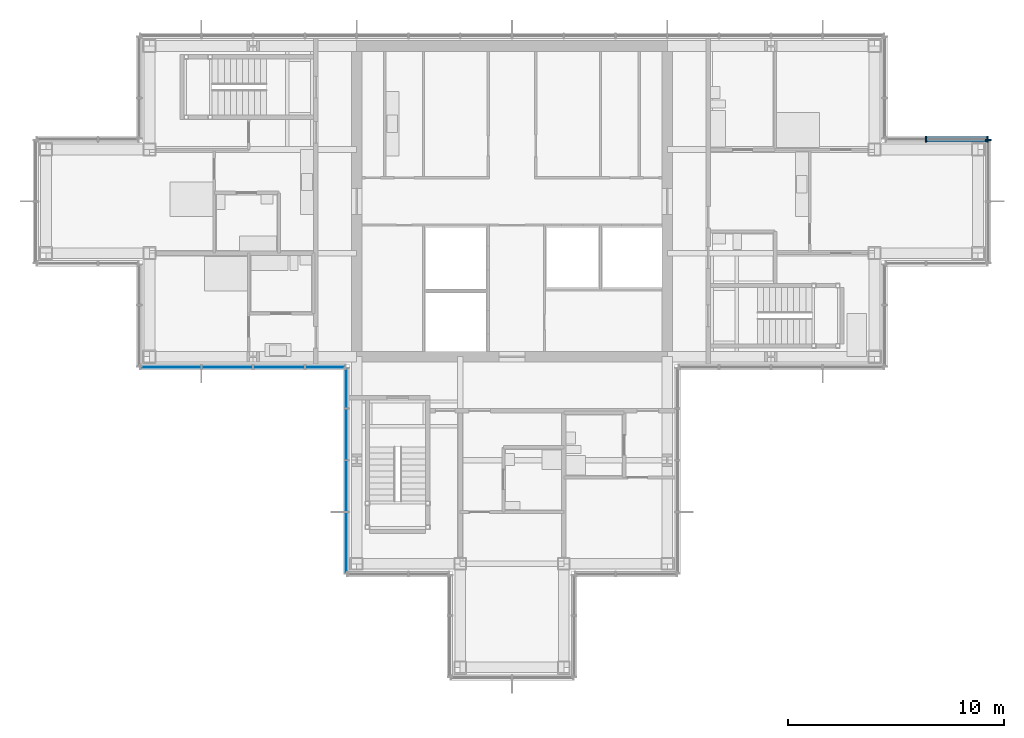
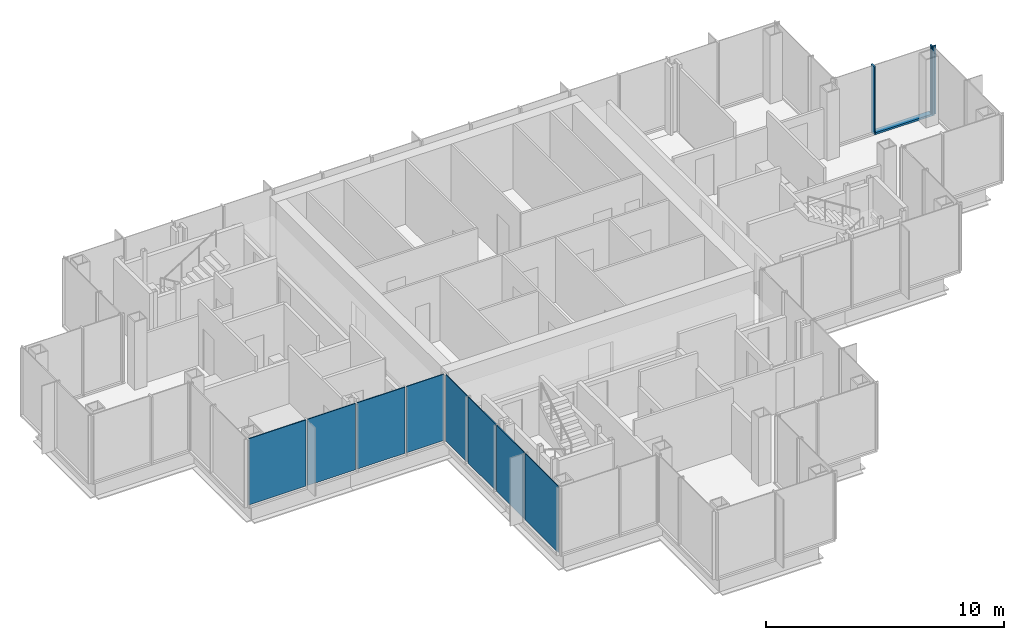
# One storey, part 8 of 15: 8 plates, 4 members, 4 elements without a shape of their own.
"""IFC4 building model written with IfcOpenShell, lengths in metres."""

from ifc_helpers import new_model, si_unit, direction, frame, origin, origin_2d, place, context, subcontext, project, spatial, rectangle, extrude, material, layer, layer_set, material_profile, profile_set, type_object, element, aggregate, save


model = new_model("IFC4")

# Units and contexts
model_context = context("Model", 3, precision=1e-05, world=origin(), true_north=direction((0.0, 1.0)))
body_context = subcontext(model_context, "Body", "Model", "MODEL_VIEW")
ifc_project = project(units=[si_unit("LENGTHUNIT", "METRE"), si_unit("AREAUNIT", "SQUARE_METRE"), si_unit("VOLUMEUNIT", "CUBIC_METRE"), si_unit("PLANEANGLEUNIT", "RADIAN"), si_unit("MASSUNIT", "GRAM", prefix="KILO")], contexts=[model_context])

# Site, building, storey
site_placement = place(None, origin())
site = spatial("IfcSite", under=ifc_project, at=site_placement, CompositionType="ELEMENT")
building_placement = place(site_placement, origin())
building = spatial("IfcBuilding", under=site, at=building_placement, Name="Kvirike Care Tower", CompositionType="ELEMENT")
storey_placement = place(building_placement, frame((0.0, 0.0, 208.5)))
storey = spatial("IfcBuildingStorey", under=building, at=storey_placement, Name="L57", CompositionType="ELEMENT", Elevation=208.5)

# Curtain wall, member
ifc_material_1 = material(Name="Anodised aluminium stick system", Category="aluminium")
curtain_wall_type = type_object("IfcCurtainWallType", Name="CW-D STICK CURTAIN WALL", PredefinedType="NOTDEFINED", material=ifc_material_1)
curtain_wall_1_placement = place(storey_placement, origin())
curtain_wall_1 = element("IfcCurtainWall", 1, at=curtain_wall_1_placement, inside=storey, type_object=curtain_wall_type, Name="Curtain wall L57 face 4", PredefinedType="NOTDEFINED")
ifc_material_2 = material(Name="Bronze anodised aluminium mullion", Category="aluminium")
ifc_material_profile_1 = material_profile(ifc_material_2, rectangle(XDim=0.06494140625, YDim=0.260009765625, at=origin_2d()), Name="CW-D MULLION 65x260")
ifc_profile_set_1 = profile_set([ifc_material_profile_1], Name="Bronze anodised aluminium mullion")
member_type_1 = type_object("IfcMemberType", Name="CW-D MULLION 65x260", PredefinedType="MULLION", material=ifc_profile_set_1)
member_1_placement = place(storey_placement, frame((43.679931640625, 38.847412109375, 0.0), z_axis=(0.0, 0.0, 1.0), x_axis=(0.0, 1.0, 0.0)))
member_1 = element("IfcMember", 2, at=member_1_placement, type_object=member_type_1, Name="CW-D mullion L57 face 4.3", PredefinedType="MULLION", context=body_context, shape_type="SweptSolid", body=[
    extrude(rectangle(XDim=0.06494140625, YDim=0.260009765625, at=origin_2d()), origin(), (0.0, 0.0, 1.0), 3.5),
])
aggregate(curtain_wall_1, [member_1])

# Curtain wall, members
curtain_wall_2_placement = place(storey_placement, origin())
curtain_wall_2 = element("IfcCurtainWall", 3, at=curtain_wall_2_placement, inside=storey, type_object=curtain_wall_type, Name="Curtain wall L57 face 5", PredefinedType="NOTDEFINED")
member_2_placement = place(storey_placement, frame((43.6474609375, 38.8798828125, 0.0), z_axis=(0.0, 0.0, 1.0), x_axis=(-1.0, 0.0, 0.0)))
member_2 = element("IfcMember", 4, at=member_2_placement, type_object=member_type_1, Name="CW-D mullion L57 face 5.1", PredefinedType="MULLION", context=body_context, shape_type="SweptSolid", body=[
    extrude(rectangle(XDim=0.06494140625, YDim=0.260009765625, at=origin_2d()), origin(), (0.0, 0.0, 1.0), 3.5),
])
member_3_placement = place(storey_placement, frame((40.800048828125, 38.8798828125, 0.0), z_axis=(0.0, 0.0, 1.0), x_axis=(-1.0, 0.0, 0.0)))
member_3 = element("IfcMember", 5, at=member_3_placement, type_object=member_type_1, Name="CW-D mullion L57 face 5.2", PredefinedType="MULLION", context=body_context, shape_type="SweptSolid", body=[
    extrude(rectangle(XDim=0.06494140625, YDim=0.260009765625, at=origin_2d()), origin(), (0.0, 0.0, 1.0), 3.5),
])
ifc_material_3 = material(Name="Bronze anodised aluminium transom", Category="aluminium")
ifc_material_profile_2 = material_profile(ifc_material_3, rectangle(XDim=0.260009765625, YDim=0.10009765625, at=origin_2d()), Name="CW-D TRANSOM 260x100")
ifc_profile_set_2 = profile_set([ifc_material_profile_2], Name="Bronze anodised aluminium transom")
member_type_2 = type_object("IfcMemberType", Name="CW-D TRANSOM 260x100", PredefinedType="USERDEFINED", material=ifc_profile_set_2)
member_4_placement = place(storey_placement, frame((43.614990234375, 38.8798828125, 0.050048828125), z_axis=(-1.0, 0.0, 0.0), x_axis=(0.0, -1.0, 0.0)))
member_4 = element("IfcMember", 6, at=member_4_placement, type_object=member_type_2, Name="CW-D sill transom L57 face 5.1", ObjectType="TRANSOM", PredefinedType="USERDEFINED", context=body_context, shape_type="SweptSolid", body=[
    extrude(rectangle(XDim=0.260009765625, YDim=0.10009765625, at=origin_2d()), origin(), (0.0, 0.0, 1.0), 2.782470703125),
])
aggregate(curtain_wall_2, [member_2, member_3, member_4])

# Curtain wall, plates
curtain_wall_3_placement = place(storey_placement, origin())
curtain_wall_3 = element("IfcCurtainWall", 7, at=curtain_wall_3_placement, inside=storey, type_object=curtain_wall_type, Name="Curtain wall L57 face 13", PredefinedType="NOTDEFINED")
ifc_material_4 = material(Name="Tinted double glazed unit", Category="glass")
ifc_layer = layer(ifc_material_4, 0.0439453125)
ifc_layer_set = layer_set([ifc_layer], Name="TINTED VISION PANEL 44")
plate_type = type_object("IfcPlateType", Name="TINTED VISION PANEL 44", PredefinedType="CURTAIN_PANEL", material=ifc_layer_set)
plate_1_placement = place(storey_placement, frame((5.7763671875, 28.320068359375, 0.10009765625), z_axis=(0.0, 0.0, 1.0), x_axis=(1.0, 0.0, 0.0)))
plate_1 = element("IfcPlate", 8, at=plate_1_placement, type_object=plate_type, Name="CW-D panel L57 face 13.1", PredefinedType="CURTAIN_PANEL", context=body_context, shape_type="SweptSolid", body=[
    extrude(rectangle(XDim=2.782470703125, YDim=0.0439453125, at=origin_2d()), origin(), (0.0, 0.0, 1.0), 3.39990234375),
])
plate_2_placement = place(storey_placement, frame((8.39990234375, 28.320068359375, 0.10009765625), z_axis=(0.0, 0.0, 1.0), x_axis=(1.0, 0.0, 0.0)))
plate_2 = element("IfcPlate", 9, at=plate_2_placement, type_object=plate_type, Name="CW-D panel L57 face 13.2", PredefinedType="CURTAIN_PANEL", context=body_context, shape_type="SweptSolid", body=[
    extrude(rectangle(XDim=2.3349609375, YDim=0.0439453125, at=origin_2d()), origin(), (0.0, 0.0, 1.0), 3.39990234375),
])
plate_3_placement = place(storey_placement, frame((10.800048828125, 28.320068359375, 0.10009765625), z_axis=(0.0, 0.0, 1.0), x_axis=(1.0, 0.0, 0.0)))
plate_3 = element("IfcPlate", 10, at=plate_3_placement, type_object=plate_type, Name="CW-D panel L57 face 13.3", PredefinedType="CURTAIN_PANEL", context=body_context, shape_type="SweptSolid", body=[
    extrude(rectangle(XDim=2.3349609375, YDim=0.0439453125, at=origin_2d()), origin(), (0.0, 0.0, 1.0), 3.39990234375),
])
plate_4_placement = place(storey_placement, frame((12.94384765625, 28.320068359375, 0.10009765625), z_axis=(0.0, 0.0, 1.0), x_axis=(1.0, 0.0, 0.0)))
plate_4 = element("IfcPlate", 11, at=plate_4_placement, type_object=plate_type, Name="CW-D panel L57 face 13.4", PredefinedType="CURTAIN_PANEL", context=body_context, shape_type="SweptSolid", body=[
    extrude(rectangle(XDim=1.822509765625, YDim=0.0439453125, at=origin_2d()), origin(), (0.0, 0.0, 1.0), 3.39990234375),
])
aggregate(curtain_wall_3, [plate_1, plate_2, plate_3, plate_4])

curtain_wall_4_placement = place(storey_placement, origin())
curtain_wall_4 = element("IfcCurtainWall", 12, at=curtain_wall_4_placement, inside=storey, type_object=curtain_wall_type, Name="Curtain wall L57 face 14", PredefinedType="NOTDEFINED")
plate_5_placement = place(storey_placement, frame((13.919921875, 27.34375, 0.10009765625), z_axis=(0.0, 0.0, 1.0), x_axis=(0.0, -1.0, 0.0)))
plate_5 = element("IfcPlate", 13, at=plate_5_placement, type_object=plate_type, Name="CW-D panel L57 face 14.1", PredefinedType="CURTAIN_PANEL", context=body_context, shape_type="SweptSolid", body=[
    extrude(rectangle(XDim=1.822509765625, YDim=0.0439453125, at=origin_2d()), origin(), (0.0, 0.0, 1.0), 3.39990234375),
])
plate_6_placement = place(storey_placement, frame((13.919921875, 25.199951171875, 0.10009765625), z_axis=(0.0, 0.0, 1.0), x_axis=(0.0, -1.0, 0.0)))
plate_6 = element("IfcPlate", 14, at=plate_6_placement, type_object=plate_type, Name="CW-D panel L57 face 14.2", PredefinedType="CURTAIN_PANEL", context=body_context, shape_type="SweptSolid", body=[
    extrude(rectangle(XDim=2.3349609375, YDim=0.0439453125, at=origin_2d()), origin(), (0.0, 0.0, 1.0), 3.39990234375),
])
plate_7_placement = place(storey_placement, frame((13.919921875, 22.800048828125, 0.10009765625), z_axis=(0.0, 0.0, 1.0), x_axis=(0.0, -1.0, 0.0)))
plate_7 = element("IfcPlate", 15, at=plate_7_placement, type_object=plate_type, Name="CW-D panel L57 face 14.3", PredefinedType="CURTAIN_PANEL", context=body_context, shape_type="SweptSolid", body=[
    extrude(rectangle(XDim=2.3349609375, YDim=0.0439453125, at=origin_2d()), origin(), (0.0, 0.0, 1.0), 3.39990234375),
])
plate_8_placement = place(storey_placement, frame((13.919921875, 20.17626953125, 0.10009765625), z_axis=(0.0, 0.0, 1.0), x_axis=(0.0, -1.0, 0.0)))
plate_8 = element("IfcPlate", 16, at=plate_8_placement, type_object=plate_type, Name="CW-D panel L57 face 14.4", PredefinedType="CURTAIN_PANEL", context=body_context, shape_type="SweptSolid", body=[
    extrude(rectangle(XDim=2.782470703125, YDim=0.0439453125, at=origin_2d()), origin(), (0.0, 0.0, 1.0), 3.39990234375),
])
aggregate(curtain_wall_4, [plate_5, plate_6, plate_7, plate_8])

save(model, "model.ifc")
